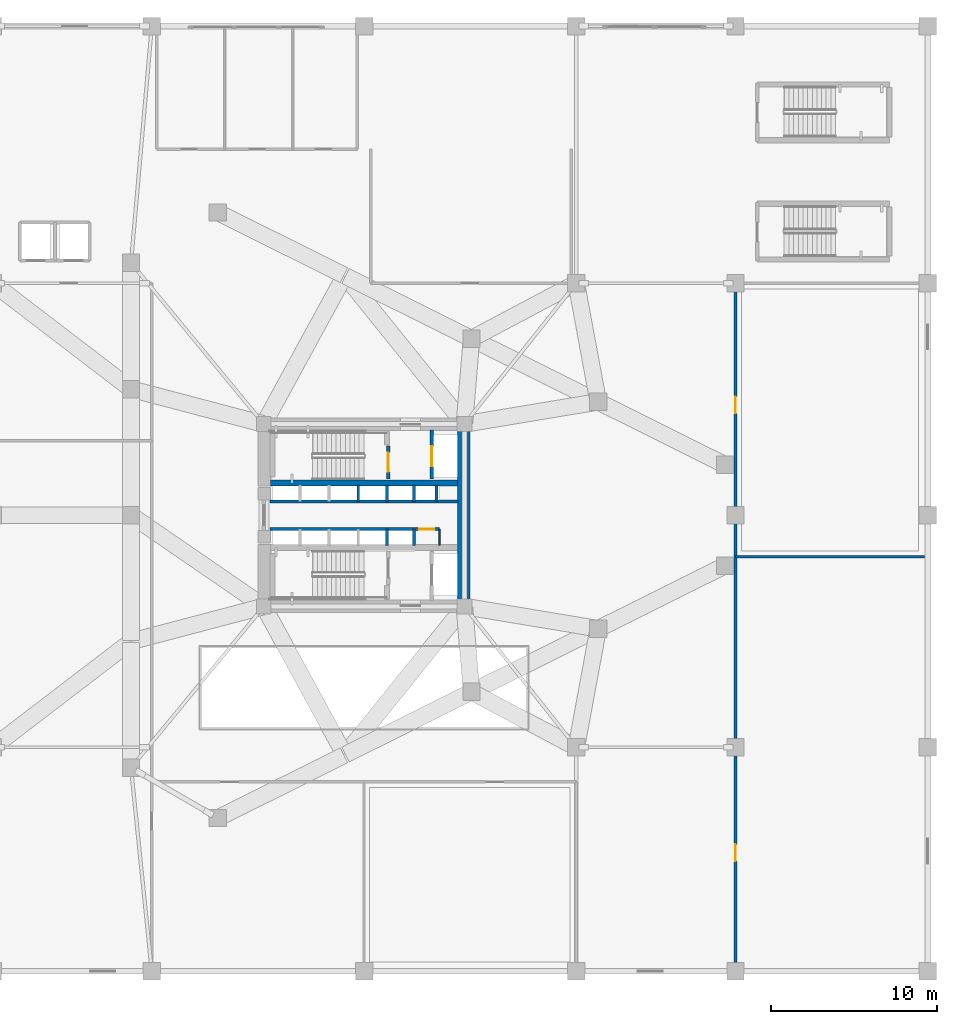
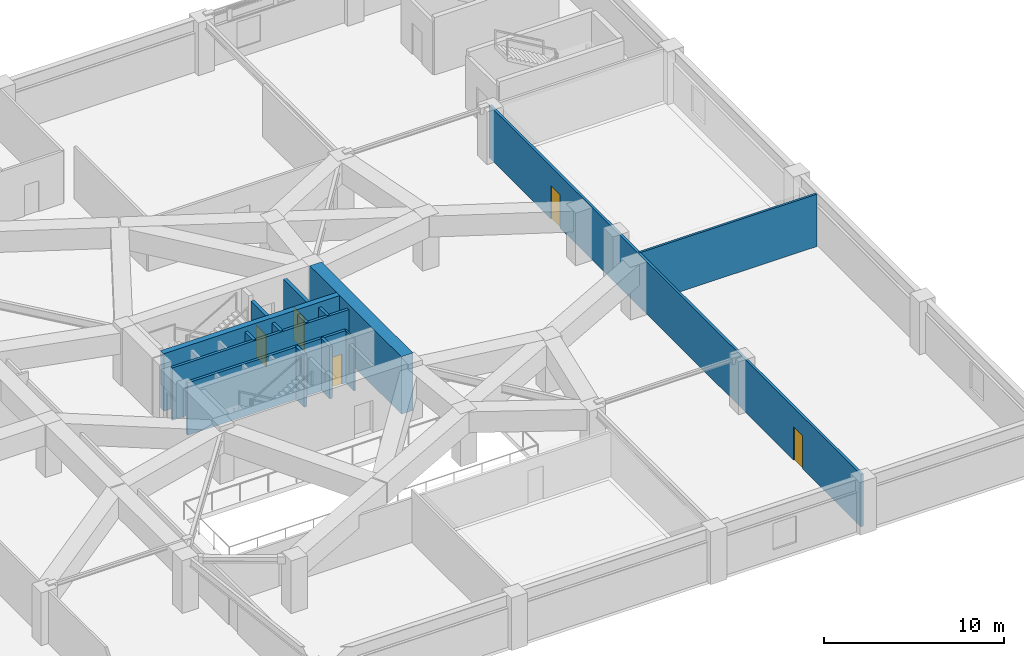
# One storey, part 6 of 16: 15 walls, 5 doors, 5 openings.
"""IFC4 building model written with IfcOpenShell, lengths in metres."""

from ifc_helpers import new_model, si_unit, direction, frame, frame_2d, origin, place, context, subcontext, project, spatial, rectangle, extrude, material, layer, layer_set, type_object, element, fill, save


model = new_model("IFC4")

# Units and contexts
model_context = context("Model", 3, precision=1e-05, world=origin(), true_north=direction((0.0, 1.0)))
body_context = subcontext(model_context, "Body", "Model", "MODEL_VIEW")
ifc_project = project(units=[si_unit("LENGTHUNIT", "METRE"), si_unit("AREAUNIT", "SQUARE_METRE"), si_unit("VOLUMEUNIT", "CUBIC_METRE"), si_unit("PLANEANGLEUNIT", "RADIAN"), si_unit("MASSUNIT", "GRAM", prefix="KILO")], contexts=[model_context])

# Site, building, storey
site_placement = place(None, origin())
site = spatial("IfcSite", under=ifc_project, at=site_placement, CompositionType="ELEMENT")
building_placement = place(site_placement, origin())
building = spatial("IfcBuilding", under=site, at=building_placement, Name="Yunling Apex Tower", CompositionType="ELEMENT")
storey_placement = place(building_placement, frame((0.0, 0.0, 16.199951171875)))
storey = spatial("IfcBuildingStorey", under=building, at=storey_placement, Name="L05", CompositionType="ELEMENT", Elevation=16.199951171875)

# Walls
ifc_material_1 = material(Name="Concrete C60", Category="concrete")
ifc_layer_1 = layer(ifc_material_1, 0.75)
ifc_layer_set_1 = layer_set([ifc_layer_1], Name="Concrete C60")
wall_type_1 = type_object("IfcWallType", Name="WL-COR-1", PredefinedType="SHEAR", material=ifc_layer_set_1)
wall_1_placement = place(storey_placement, frame((6.02490234375, -5.10009765625, 0.0), z_axis=(0.0, 0.0, 1.0), x_axis=(0.0, 1.0, 0.0)))
element("IfcWall", 1, at=wall_1_placement, inside=storey, type_object=wall_type_1, Name="L05 East Core Shear Wall", PredefinedType="SHEAR", context=body_context, shape_type="SweptSolid", body=[
    extrude(rectangle(XDim=10.2001953125, YDim=0.75, at=frame_2d((5.10009765625, 0.0))), origin(), (0.0, 0.0, 1.0), 3.900146484375),
])
ifc_material_2 = material(Name="Concrete C40", Category="concrete")
ifc_layer_2 = layer(ifc_material_2, 0.360107421875)
ifc_layer_set_2 = layer_set([ifc_layer_2], Name="Concrete C40")
wall_type_2 = type_object("IfcWallType", Name="WL-COR-4", PredefinedType="SHEAR", material=ifc_layer_set_2)
wall_2_placement = place(storey_placement, frame((-5.64990234375, 1.93994140625, 0.0), z_axis=(0.0, 0.0, 1.0), x_axis=(1.0, 0.0, 0.0)))
element("IfcWall", 2, at=wall_2_placement, inside=storey, type_object=wall_type_2, Name="L05 North Internal Core Shear Wall", PredefinedType="SHEAR", context=body_context, shape_type="SweptSolid", body=[
    extrude(rectangle(XDim=11.2998046875, YDim=0.360107421875, at=frame_2d((5.64990234375, 0.0))), origin(), (0.0, 0.0, 1.0), 3.900146484375),
])

# Wall, openings, doors
ifc_material_3 = material(Name="Gypsum board acoustic partition")
ifc_layer_3 = layer(ifc_material_3, 0.159912109375)
ifc_layer_set_3 = layer_set([ifc_layer_3], Name="Gypsum board acoustic partition")
wall_type_3 = type_object("IfcWallType", Name="WL-PRT-1", PredefinedType="PARTITIONING", material=ifc_layer_set_3)
wall_3_placement = place(storey_placement, frame((22.39990234375, -27.35009765625, 0.0), z_axis=(0.0, 0.0, 1.0), x_axis=(0.0, 1.0, 0.0)))
wall_3 = element("IfcWall", 3, at=wall_3_placement, inside=storey, type_object=wall_type_3, Name="WL-L05-EW", PredefinedType="PARTITIONING", context=body_context, shape_type="SweptSolid", body=[
    extrude(rectangle(XDim=41.35009765625, YDim=0.159912109375, at=frame_2d((20.675048828125, 0.0))), origin(), (0.0, 0.0, 1.0), 3.56005859375),
])
opening_1_placement = place(wall_3_placement, frame((6.5, 0.0, 0.0)))
opening_1 = element("IfcOpeningElement", 4, at=opening_1_placement, cuts=wall_3, Name="Opening DR-OFF-1", PredefinedType="OPENING", context=body_context, shape_type="SweptSolid", body=[
    extrude(rectangle(XDim=1.0, YDim=2.25, at=frame_2d((0.5, 1.125))), frame((0.0, 0.08984375, 0.0), z_axis=(0.0, -1.0, 0.0), x_axis=(1.0, 0.0, 0.0)), (0.0, 0.0, 1.0), 0.179931640625),
])
opening_2_placement = place(wall_3_placement, frame((33.5, 0.0, 0.0)))
opening_2 = element("IfcOpeningElement", 5, at=opening_2_placement, cuts=wall_3, Name="Opening DR-OFF-1", PredefinedType="OPENING", context=body_context, shape_type="SweptSolid", body=[
    extrude(rectangle(XDim=1.0, YDim=2.25, at=frame_2d((0.5, 1.125))), frame((0.0, 0.08984375, 0.0), z_axis=(0.0, -1.0, 0.0), x_axis=(1.0, 0.0, 0.0)), (0.0, 0.0, 1.0), 0.179931640625),
])
ifc_material_4 = material(Name="Bronze anodised aluminium", Category="aluminium")
door_type_1 = type_object("IfcDoorType", Name="DR-OFF-1", OperationType="NOTDEFINED", PredefinedType="DOOR", material=ifc_material_4)
door_1_placement = place(opening_1_placement, origin())
door_1 = element("IfcDoor", 6, at=door_1_placement, inside=storey, type_object=door_type_1, Name="L05 Tea House Lounge Door", OperationType="SINGLE_SWING_LEFT", OverallHeight=2.25, OverallWidth=1.0, PredefinedType="DOOR", context=body_context, shape_type="SweptSolid", body=[
    extrude(rectangle(XDim=1.0, YDim=2.25, at=frame_2d((0.5, 1.125))), frame((0.0, 0.02490234375, 0.0), z_axis=(0.0, -1.0, 0.0), x_axis=(1.0, 0.0, 0.0)), (0.0, 0.0, 1.0), 0.050048828125),
])
fill(opening_1, door_1)
door_2_placement = place(opening_2_placement, origin())
door_2 = element("IfcDoor", 7, at=door_2_placement, inside=storey, type_object=door_type_1, Name="L05 Culinary Kitchen Door", OperationType="SINGLE_SWING_RIGHT", OverallHeight=2.25, OverallWidth=1.0, PredefinedType="DOOR", context=body_context, shape_type="SweptSolid", body=[
    extrude(rectangle(XDim=1.0, YDim=2.25, at=frame_2d((0.5, 1.125))), frame((0.0, 0.02490234375, 0.0), z_axis=(0.0, -1.0, 0.0), x_axis=(1.0, 0.0, 0.0)), (0.0, 0.0, 1.0), 0.050048828125),
])
fill(opening_2, door_2)

# Walls
ifc_layer_4 = layer(ifc_material_3, 0.139892578125)
ifc_layer_set_4 = layer_set([ifc_layer_4], Name="Gypsum board acoustic partition")
wall_type_4 = type_object("IfcWallType", Name="WL-PRT-2", PredefinedType="PARTITIONING", material=ifc_layer_set_4)
wall_4_placement = place(storey_placement, frame((22.39990234375, -2.5, 0.0), z_axis=(0.0, 0.0, 1.0), x_axis=(1.0, 0.0, 0.0)))
element("IfcWall", 8, at=wall_4_placement, inside=storey, type_object=wall_type_4, Name="WL-L05-EM", PredefinedType="PARTITIONING", context=body_context, shape_type="SweptSolid", body=[
    extrude(rectangle(XDim=11.400146484375, YDim=0.139892578125, at=frame_2d((5.7001953125, 0.0))), origin(), (0.0, 0.0, 1.0), 3.56005859375),
])
ifc_layer_5 = layer(ifc_material_3, 0.10009765625)
ifc_layer_set_5 = layer_set([ifc_layer_5], Name="Gypsum board acoustic partition")
wall_type_5 = type_object("IfcWallType", Name="WL-PRT-4", PredefinedType="PARTITIONING", material=ifc_layer_set_5)
wall_5_placement = place(storey_placement, frame((4.5400390625, -1.820068359375, 0.0), z_axis=(0.0, 0.0, 1.0), x_axis=(0.0, 1.0, 0.0)))
element("IfcWall", 9, at=wall_5_placement, inside=storey, type_object=wall_type_5, Name="WL-KASE-E-L05", PredefinedType="PARTITIONING", context=body_context, shape_type="SweptSolid", body=[
    extrude(rectangle(XDim=0.97998046875, YDim=0.10009765625, at=frame_2d((0.489990234375, 0.0))), origin(), (0.0, 0.0, 1.0), 3.56005859375),
])

# Wall, opening, door
ifc_material_5 = material(Name="Autoclaved aerated concrete masonry", Category="masonry")
ifc_layer_6 = layer(ifc_material_5, 0.219970703125)
ifc_layer_set_6 = layer_set([ifc_layer_6], Name="Autoclaved aerated concrete masonry")
wall_type_6 = type_object("IfcWallType", Name="WL-SHF-1", PredefinedType="PLUMBINGWALL", material=ifc_layer_set_6)
wall_6_placement = place(storey_placement, frame((1.449951171875, 2.199951171875, 0.0), z_axis=(0.0, 0.0, 1.0), x_axis=(0.0, 1.0, 0.0)))
wall_6 = element("IfcWall", 10, at=wall_6_placement, inside=storey, type_object=wall_type_6, Name="WL-ST1-E-L05", PredefinedType="PLUMBINGWALL", context=body_context, shape_type="SweptSolid", body=[
    extrude(rectangle(XDim=1.97998046875, YDim=0.219970703125, at=frame_2d((0.989990234375, 0.0))), origin(), (0.0, 0.0, 1.0), 3.56005859375),
])
opening_3_placement = place(wall_6_placement, frame((0.419921875, 0.0, 0.0)))
opening_3 = element("IfcOpeningElement", 11, at=opening_3_placement, cuts=wall_6, Name="Opening DR-ST-1", PredefinedType="OPENING", context=body_context, shape_type="SweptSolid", body=[
    extrude(rectangle(XDim=1.14990234375, YDim=2.14990234375, at=frame_2d((0.574951171875, 1.074951171875))), frame((0.0, 0.1201171875, 0.0), z_axis=(0.0, -1.0, 0.0), x_axis=(1.0, 0.0, 0.0)), (0.0, 0.0, 1.0), 0.239990234375),
])
ifc_material_6 = material(Name="Steel Q355B", Category="steel")
door_type_2 = type_object("IfcDoorType", Name="DR-ST-1", OperationType="NOTDEFINED", PredefinedType="DOOR", material=ifc_material_6)
door_3_placement = place(opening_3_placement, origin())
door_3 = element("IfcDoor", 12, at=door_3_placement, inside=storey, type_object=door_type_2, Name="L05 Stair ST-1 Fire Door", OperationType="SINGLE_SWING_LEFT", OverallHeight=2.14990234375, OverallWidth=1.14990234375, PredefinedType="DOOR", context=body_context, shape_type="SweptSolid", body=[
    extrude(rectangle(XDim=1.14990234375, YDim=2.14990234375, at=frame_2d((0.574951171875, 1.074951171875))), frame((0.0, 0.02490234375, 0.0), z_axis=(0.0, -1.0, 0.0), x_axis=(1.0, 0.0, 0.0)), (0.0, 0.0, 1.0), 0.050048828125),
])
fill(opening_3, door_3)

wall_7_placement = place(storey_placement, frame((4.080078125, 2.199951171875, 0.0), z_axis=(0.0, 0.0, 1.0), x_axis=(0.0, 1.0, 0.0)))
wall_7 = element("IfcWall", 13, at=wall_7_placement, inside=storey, type_object=wall_type_6, Name="WL-FFL1-W-L05", PredefinedType="PLUMBINGWALL", context=body_context, shape_type="SweptSolid", body=[
    extrude(rectangle(XDim=2.949951171875, YDim=0.219970703125, at=frame_2d((1.47509765625, 0.0))), origin(), (0.0, 0.0, 1.0), 3.56005859375),
])
opening_4_placement = place(wall_7_placement, frame((0.75, 0.0, 0.0)))
opening_4 = element("IfcOpeningElement", 14, at=opening_4_placement, cuts=wall_7, Name="Opening LD-FFL-1", PredefinedType="OPENING", context=body_context, shape_type="SweptSolid", body=[
    extrude(rectangle(XDim=1.199951171875, YDim=2.25, at=frame_2d((0.60009765625, 1.125))), frame((0.0, 0.1201171875, 0.0), z_axis=(0.0, -1.0, 0.0), x_axis=(1.0, 0.0, 0.0)), (0.0, 0.0, 1.0), 0.239990234375),
])
door_type_3 = type_object("IfcDoorType", Name="LD-FFL-1", OperationType="DOUBLE_DOOR_SLIDING", PredefinedType="DOOR", material=ifc_material_6)
door_4_placement = place(opening_4_placement, origin())
door_4 = element("IfcDoor", 15, at=door_4_placement, inside=storey, type_object=door_type_3, Name="L05 Lift FFL-1 Landing Door", OperationType="DOUBLE_DOOR_SLIDING", OverallHeight=2.25, OverallWidth=1.199951171875, PredefinedType="DOOR", context=body_context, shape_type="SweptSolid", body=[
    extrude(rectangle(XDim=1.199951171875, YDim=2.25, at=frame_2d((0.60009765625, 1.125))), frame((0.0, 0.02490234375, 0.0), z_axis=(0.0, -1.0, 0.0), x_axis=(1.0, 0.0, 0.0)), (0.0, 0.0, 1.0), 0.050048828125),
])
fill(opening_4, door_4)

# Walls
ifc_layer_7 = layer(ifc_material_5, 0.179931640625)
ifc_layer_set_7 = layer_set([ifc_layer_7], Name="Autoclaved aerated concrete masonry")
wall_type_7 = type_object("IfcWallType", Name="WL-SHF-2", PredefinedType="PLUMBINGWALL", material=ifc_layer_set_7)
for number, where, z_axis, x_axis, name in (
    (16, (-0.35009765625, 0.840087890625, 0.0), (0.0, 0.0, 1.0), (0.0, 1.0, 0.0), "WL-DIV-M12-L05"),
    (17, (1.3798828125, 0.840087890625, 0.0), (0.0, 0.0, 1.0), (0.0, 1.0, 0.0), "WL-BNK-MH-N-L05"),
    (18, (1.3798828125, -1.820068359375, 0.0), (0.0, 0.0, 1.0), (0.0, 1.0, 0.0), "WL-BNK-MH-S-L05"),
    (19, (3.02001953125, 0.840087890625, 0.0), (0.0, 0.0, 1.0), (0.0, 1.0, 0.0), "WL-DIV-H13-L05"),
    (20, (4.3798828125, 0.840087890625, 0.0), (0.0, 0.0, 1.0), (0.0, 1.0, 0.0), "WL-END-H3E-L05"),
    (21, (3.02001953125, -1.820068359375, 0.0), (0.0, 0.0, 1.0), (0.0, 1.0, 0.0), "WL-END-H2E-L05"),
):
    element("IfcWall", number, at=place(storey_placement, frame(where, z_axis=z_axis, x_axis=x_axis)), inside=storey, type_object=wall_type_7, Name=name, PredefinedType="PLUMBINGWALL", context=body_context, shape_type="SweptSolid", body=[
        extrude(rectangle(XDim=0.97998046875, YDim=0.179931640625, at=frame_2d((0.489990234375, 0.0))), origin(), (0.0, 0.0, 1.0), 3.56005859375),
    ])
wall_8_placement = place(storey_placement, frame((-5.679931640625, 0.840087890625, 0.0), z_axis=(0.0, 0.0, 1.0), x_axis=(1.0, 0.0, 0.0)))
element("IfcWall", 22, at=wall_8_placement, inside=storey, type_object=wall_type_7, Name="WL-LOB-N-L05", PredefinedType="PLUMBINGWALL", context=body_context, shape_type="SweptSolid", body=[
    extrude(rectangle(XDim=11.329833984375, YDim=0.179931640625, at=frame_2d((5.6650390625, 0.0))), origin(), (0.0, 0.0, 1.0), 3.56005859375),
])

# Wall, opening, door
wall_9_placement = place(storey_placement, frame((-5.679931640625, -0.840087890625, 0.0), z_axis=(0.0, 0.0, 1.0), x_axis=(1.0, 0.0, 0.0)))
wall_9 = element("IfcWall", 23, at=wall_9_placement, inside=storey, type_object=wall_type_7, Name="WL-LOB-S-L05", PredefinedType="PLUMBINGWALL", context=body_context, shape_type="SweptSolid", body=[
    extrude(rectangle(XDim=10.219970703125, YDim=0.179931640625, at=frame_2d((5.10986328125, 0.0))), origin(), (0.0, 0.0, 1.0), 3.56005859375),
])
opening_5_placement = place(wall_9_placement, frame((9.02001953125, 0.0, 0.0)))
opening_5 = element("IfcOpeningElement", 24, at=opening_5_placement, cuts=wall_9, Name="Opening DR-SHF-1", PredefinedType="OPENING", context=body_context, shape_type="SweptSolid", body=[
    extrude(rectangle(XDim=0.89990234375, YDim=2.050048828125, at=frame_2d((0.449951171875, 1.02490234375))), frame((0.0, 0.10009765625, 0.0), z_axis=(0.0, -1.0, 0.0), x_axis=(1.0, 0.0, 0.0)), (0.0, 0.0, 1.0), 0.199951171875),
])
door_type_4 = type_object("IfcDoorType", Name="DR-SHF-1", OperationType="NOTDEFINED", PredefinedType="DOOR", material=ifc_material_6)
door_5_placement = place(opening_5_placement, origin())
door_5 = element("IfcDoor", 25, at=door_5_placement, inside=storey, type_object=door_type_4, Name="L05 Core Electrical Room Door", OperationType="SINGLE_SWING_LEFT", OverallHeight=2.050048828125, OverallWidth=0.89990234375, PredefinedType="DOOR", context=body_context, shape_type="SweptSolid", body=[
    extrude(rectangle(XDim=0.89990234375, YDim=2.050048828125, at=frame_2d((0.449951171875, 1.02490234375))), frame((0.0, 0.02490234375, 0.0), z_axis=(0.0, -1.0, 0.0), x_axis=(1.0, 0.0, 0.0)), (0.0, 0.0, 1.0), 0.050048828125),
])
fill(opening_5, door_5)

save(model, "model.ifc")
